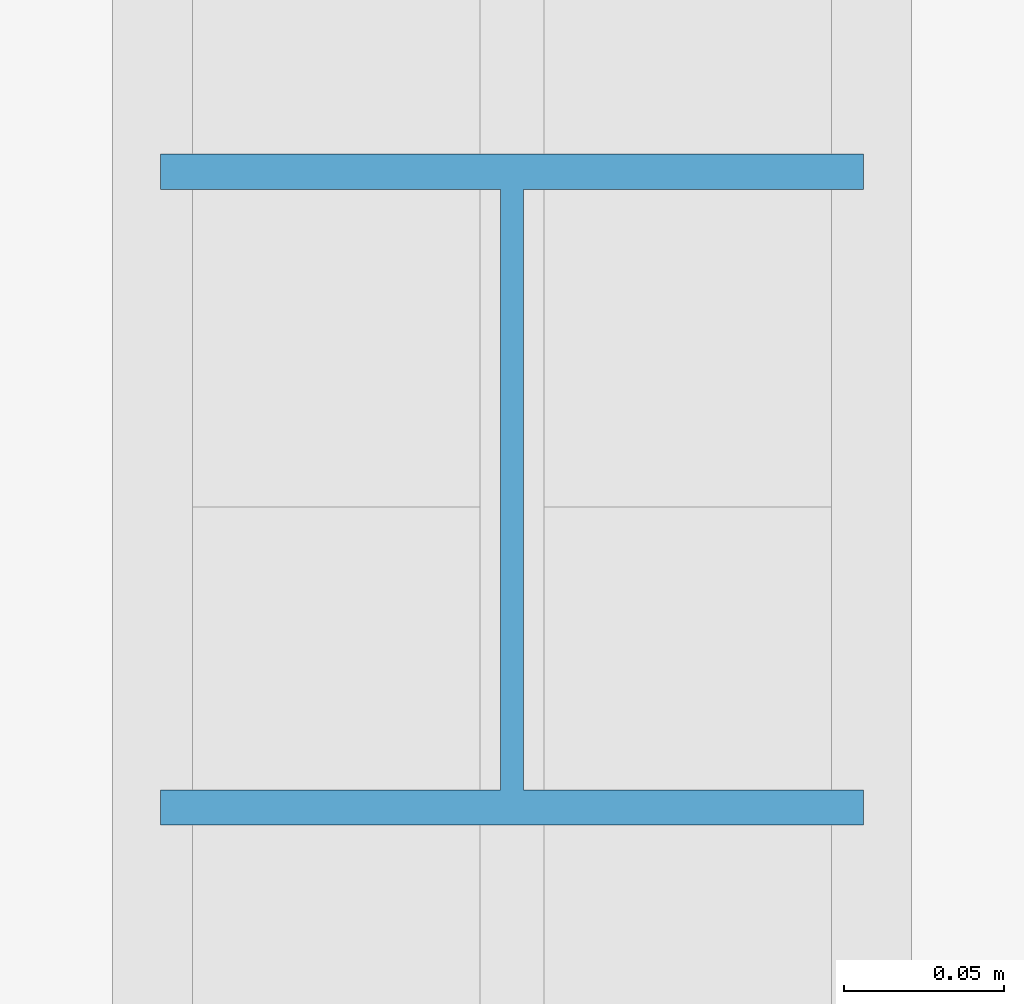
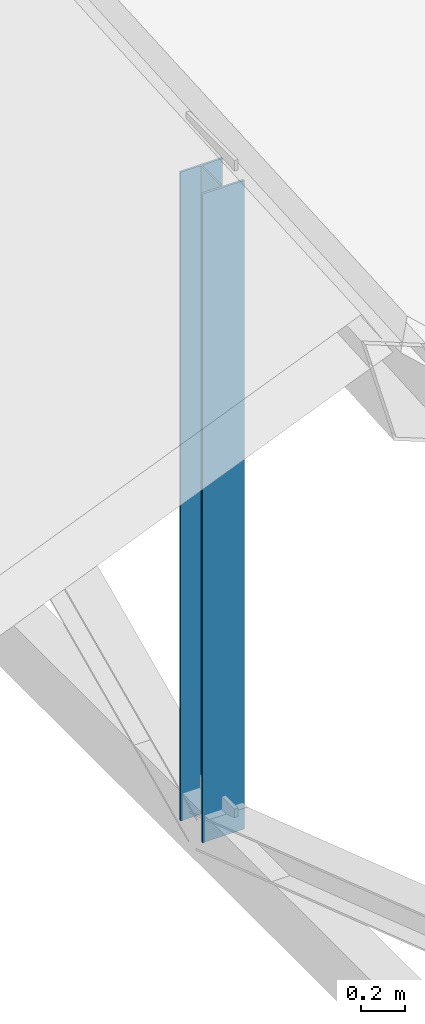
# One storey, part 40 of 142: 1 member.
"""IFC4 building model written with IfcOpenShell, lengths in metres."""

from ifc_helpers import new_model, si_unit, direction, frame, origin, origin_2d, place, context, subcontext, project, spatial, i_section, extrude, material, material_profile, profile_set, type_object, element, save


model = new_model("IFC4")

# Units and contexts
model_context = context("Model", 3, precision=1e-05, world=origin(), true_north=direction((0.0, 1.0)))
body_context = subcontext(model_context, "Body", "Model", "MODEL_VIEW")
ifc_project = project(units=[si_unit("LENGTHUNIT", "METRE"), si_unit("AREAUNIT", "SQUARE_METRE"), si_unit("VOLUMEUNIT", "CUBIC_METRE"), si_unit("PLANEANGLEUNIT", "RADIAN"), si_unit("MASSUNIT", "GRAM", prefix="KILO")], contexts=[model_context])

# Site, building, storey
site_placement = place(None, origin())
site = spatial("IfcSite", under=ifc_project, at=site_placement, CompositionType="ELEMENT")
building_placement = place(site_placement, origin())
building = spatial("IfcBuilding", under=site, at=building_placement, Name="Montelvaro Courts of Justice", CompositionType="ELEMENT")
storey_placement = place(building_placement, frame((0.0, 0.0, 14.39990234375)))
storey = spatial("IfcBuildingStorey", under=building, at=storey_placement, Name="L03", CompositionType="ELEMENT", Elevation=14.39990234375)

# Member
ifc_material = material(Name="Steel S355", Category="steel")
ifc_material_profile = material_profile(ifc_material, i_section(OverallWidth=0.219970703125, OverallDepth=0.2099609375, WebThickness=0.007080078125, FlangeThickness=0.010986328125, at=origin_2d()), Name="HEA 220")
ifc_profile_set = profile_set([ifc_material_profile], Name="Steel S355")
member_type = type_object("IfcMemberType", Name="Mem_HEA220_Post", PredefinedType="POST", material=ifc_profile_set)
member_placement = place(storey_placement, frame((76.47509765625, 60.0, -0.2998046875), z_axis=(0.0, 0.0, 1.0), x_axis=(1.0, 0.0, 0.0)))
element("IfcMember", 1, at=member_placement, inside=storey, type_object=member_type, Name="Roof Truss Post MP-03 ROOF-PASSAGE-RTR03-V2", PredefinedType="POST", context=body_context, shape_type="SweptSolid", body=[
    extrude(i_section(OverallWidth=0.219970703125, OverallDepth=0.2099609375, WebThickness=0.007080078125, FlangeThickness=0.010986328125, at=origin_2d()), origin(), (0.0, 0.0, 1.0), 3.579833984375),
])

save(model, "model.ifc")
